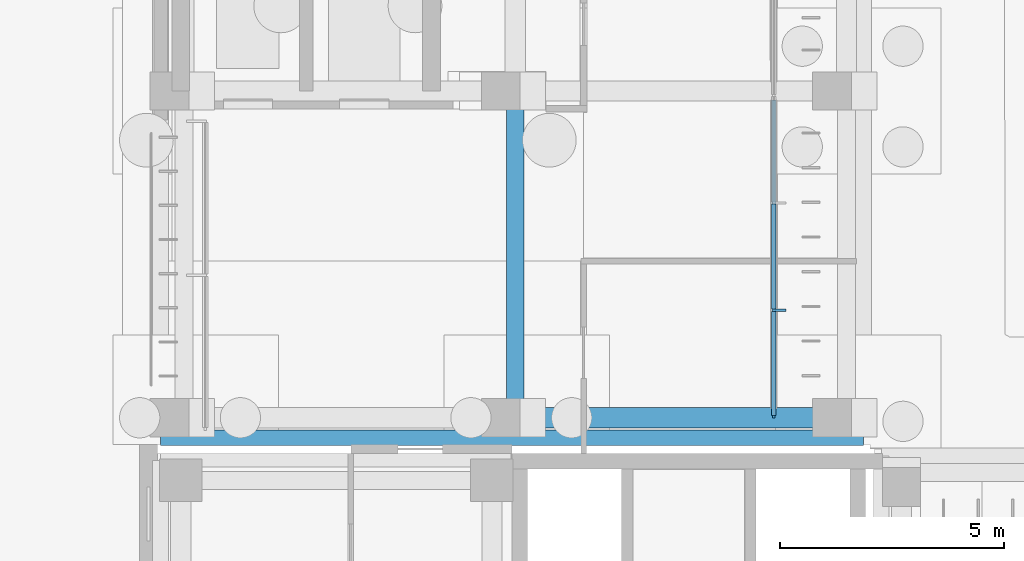
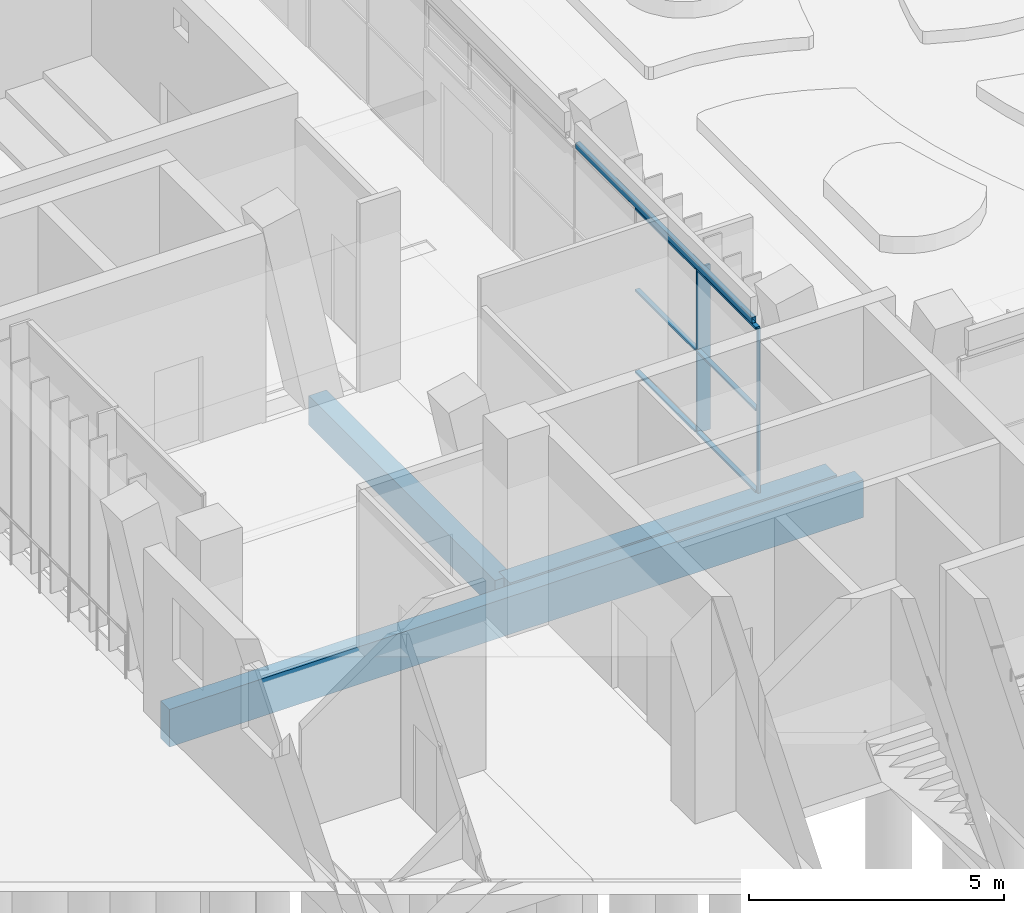
# One storey, part 45 of 144: 8 members, 4 beams, 1 element without a shape of its own.
"""IFC4 building model written with IfcOpenShell, lengths in metres."""

from ifc_helpers import new_model, si_unit, direction, frame, origin, origin_2d, place, context, subcontext, project, spatial, rectangle, hollow_rectangle, extrude, material, material_profile, profile_set, type_object, element, aggregate, save


model = new_model("IFC4")

# Units and contexts
model_context = context("Model", 3, precision=1e-05, world=origin(), true_north=direction((0.0, 1.0)))
body_context = subcontext(model_context, "Body", "Model", "MODEL_VIEW")
ifc_project = project(units=[si_unit("LENGTHUNIT", "METRE"), si_unit("AREAUNIT", "SQUARE_METRE"), si_unit("VOLUMEUNIT", "CUBIC_METRE"), si_unit("PLANEANGLEUNIT", "RADIAN"), si_unit("MASSUNIT", "GRAM", prefix="KILO")], contexts=[model_context])

# Site, building, storey
site_placement = place(None, origin())
site = spatial("IfcSite", under=ifc_project, at=site_placement, CompositionType="ELEMENT")
building_placement = place(site_placement, origin())
building = spatial("IfcBuilding", under=site, at=building_placement, Name="Lantern Court Media Centre", CompositionType="ELEMENT")
storey_placement = place(building_placement, origin())
storey = spatial("IfcBuildingStorey", under=building, at=storey_placement, Name="L00", CompositionType="ELEMENT", Elevation=0.0)

# Curtain wall, members
ifc_material_1 = material(Name="Curtain wall bay 2400")
curtain_wall_type = type_object("IfcCurtainWallType", Name="Curtain wall bay 2400", PredefinedType="NOTDEFINED", material=ifc_material_1)
curtain_wall_placement = place(storey_placement, origin())
curtain_wall = element("IfcCurtainWall", 1, at=curtain_wall_placement, inside=storey, type_object=curtain_wall_type, Name="Curtain wall W inner L00", PredefinedType="NOTDEFINED")
ifc_material_2 = material(Name="Anodised aluminium", Category="aluminium")
ifc_material_profile_1 = material_profile(ifc_material_2, rectangle(XDim=0.300048828125, YDim=0.050048828125, at=origin_2d()), Name="AL 50x300")
ifc_profile_set_1 = profile_set([ifc_material_profile_1], Name="Anodised aluminium")
member_type_1 = type_object("IfcMemberType", Name="Curtain wall mullion 50x300", PredefinedType="MULLION", material=ifc_profile_set_1)
member_1_placement = place(storey_placement, frame((21.969970703125, 67.10009765625, 0.0), z_axis=(0.0, 0.0, 1.0), x_axis=(-1.0, 0.0, 0.0)))
member_1 = element("IfcMember", 2, at=member_1_placement, type_object=member_type_1, Name="CW2 mullion 2", PredefinedType="MULLION", context=body_context, shape_type="SweptSolid", body=[
    extrude(rectangle(XDim=0.300048828125, YDim=0.050048828125, at=origin_2d()), origin(), (0.0, 0.0, 1.0), 3.949951171875),
])
ifc_material_profile_2 = material_profile(ifc_material_2, rectangle(XDim=0.06005859375, YDim=0.050048828125, at=origin_2d()), Name="AL 50x60")
ifc_profile_set_2 = profile_set([ifc_material_profile_2], Name="Anodised aluminium")
member_type_2 = type_object("IfcMemberType", Name="Curtain wall mullion 50x60", PredefinedType="MULLION", material=ifc_profile_set_2)
member_2_placement = place(storey_placement, frame((21.85009765625, 64.72509765625, 0.0), z_axis=(0.0, 0.0, 1.0), x_axis=(-1.0, 0.0, 0.0)))
member_2 = element("IfcMember", 3, at=member_2_placement, type_object=member_type_2, Name="CW2 mullion 1", PredefinedType="MULLION", context=body_context, shape_type="SweptSolid", body=[
    extrude(rectangle(XDim=0.06005859375, YDim=0.050048828125, at=origin_2d()), origin(), (0.0, 0.0, 1.0), 3.949951171875),
])
ifc_material_profile_3 = material_profile(ifc_material_2, rectangle(XDim=0.10009765625, YDim=0.050048828125, at=origin_2d()), Name="AL 50x100")
ifc_profile_set_3 = profile_set([ifc_material_profile_3], Name="Anodised aluminium")
member_type_3 = type_object("IfcMemberType", Name="Curtain wall transom 100x50", PredefinedType="USERDEFINED", material=ifc_profile_set_3)
member_3_placement = place(storey_placement, frame((21.85009765625, 64.75, 0.02490234375), z_axis=(0.0, 1.0, 0.0), x_axis=(-1.0, 0.0, 0.0)))
member_3 = element("IfcMember", 4, at=member_3_placement, type_object=member_type_3, Name="CW2 transom 1.1", ObjectType="TRANSOM", PredefinedType="USERDEFINED", context=body_context, shape_type="SweptSolid", body=[
    extrude(rectangle(XDim=0.10009765625, YDim=0.050048828125, at=origin_2d()), origin(), (0.0, 0.0, 1.0), 2.324951171875),
])
member_4_placement = place(storey_placement, frame((21.85009765625, 64.75, 1.97509765625), z_axis=(0.0, 1.0, 0.0), x_axis=(-1.0, 0.0, 0.0)))
member_4 = element("IfcMember", 5, at=member_4_placement, type_object=member_type_3, Name="CW2 transom 1.2", ObjectType="TRANSOM", PredefinedType="USERDEFINED", context=body_context, shape_type="SweptSolid", body=[
    extrude(rectangle(XDim=0.10009765625, YDim=0.050048828125, at=origin_2d()), origin(), (0.0, 0.0, 1.0), 2.324951171875),
])
member_5_placement = place(storey_placement, frame((21.85009765625, 64.75, 3.925048828125), z_axis=(0.0, 1.0, 0.0), x_axis=(-1.0, 0.0, 0.0)))
member_5 = element("IfcMember", 6, at=member_5_placement, type_object=member_type_3, Name="CW2 transom 1.3", ObjectType="TRANSOM", PredefinedType="USERDEFINED", context=body_context, shape_type="SweptSolid", body=[
    extrude(rectangle(XDim=0.10009765625, YDim=0.050048828125, at=origin_2d()), origin(), (0.0, 0.0, 1.0), 2.324951171875),
])
member_6_placement = place(storey_placement, frame((21.85009765625, 67.125, 0.02490234375), z_axis=(0.0, 1.0, 0.0), x_axis=(-1.0, 0.0, 0.0)))
member_6 = element("IfcMember", 7, at=member_6_placement, type_object=member_type_3, Name="CW2 transom 2.1", ObjectType="TRANSOM", PredefinedType="USERDEFINED", context=body_context, shape_type="SweptSolid", body=[
    extrude(rectangle(XDim=0.10009765625, YDim=0.050048828125, at=origin_2d()), origin(), (0.0, 0.0, 1.0), 2.35009765625),
])
member_7_placement = place(storey_placement, frame((21.85009765625, 67.125, 1.97509765625), z_axis=(0.0, 1.0, 0.0), x_axis=(-1.0, 0.0, 0.0)))
member_7 = element("IfcMember", 8, at=member_7_placement, type_object=member_type_3, Name="CW2 transom 2.2", ObjectType="TRANSOM", PredefinedType="USERDEFINED", context=body_context, shape_type="SweptSolid", body=[
    extrude(rectangle(XDim=0.10009765625, YDim=0.050048828125, at=origin_2d()), origin(), (0.0, 0.0, 1.0), 2.35009765625),
])
member_8_placement = place(storey_placement, frame((21.85009765625, 67.125, 3.925048828125), z_axis=(0.0, 1.0, 0.0), x_axis=(-1.0, 0.0, 0.0)))
member_8 = element("IfcMember", 9, at=member_8_placement, type_object=member_type_3, Name="CW2 transom 2.3", ObjectType="TRANSOM", PredefinedType="USERDEFINED", context=body_context, shape_type="SweptSolid", body=[
    extrude(rectangle(XDim=0.10009765625, YDim=0.050048828125, at=origin_2d()), origin(), (0.0, 0.0, 1.0), 2.35009765625),
])
aggregate(curtain_wall, [member_2, member_1, member_3, member_4, member_5, member_6, member_7, member_8])

# Beams
ifc_material_3 = material(Name="Steel S355J2 (EN 10025-2)", Category="steel")
ifc_material_profile_4 = material_profile(ifc_material_3, hollow_rectangle(XDim=0.10009765625, YDim=0.14990234375, WallThickness=0.00634765625, InnerFilletRadius=0.00634765625, OuterFilletRadius=0.009521484375, at=origin_2d()), Name="Facade head lintel RHS 150x100x6.3")
ifc_profile_set_4 = profile_set([ifc_material_profile_4], Name="Steel S355J2 (EN 10025-2)")
beam_type_1 = type_object("IfcBeamType", Name="Facade head lintel RHS 150x100x6.3", PredefinedType="BEAM", material=ifc_profile_set_4)
beam_1_placement = place(storey_placement, frame((21.85009765625, 64.89990234375, 4.02490234375), z_axis=(0.0, 1.0, 0.0), x_axis=(-1.0, 0.0, 0.0)))
element("IfcBeam", 10, at=beam_1_placement, inside=storey, type_object=beam_type_1, Name="Facade head lintel W L00", PredefinedType="BEAM", context=body_context, shape_type="SweptSolid", body=[
    extrude(hollow_rectangle(XDim=0.10009765625, YDim=0.14990234375, WallThickness=0.00634765625, InnerFilletRadius=0.00634765625, OuterFilletRadius=0.009521484375, at=origin_2d()), origin(), (0.0, 0.0, 1.0), 6.900146484375),
])
ifc_material_4 = material(Name="Concrete C35", Category="concrete")
ifc_material_profile_5 = material_profile(ifc_material_4, rectangle(XDim=0.35009765625, YDim=0.89990234375, at=origin_2d()), Name="RC 350x900")
ifc_profile_set_5 = profile_set([ifc_material_profile_5], Name="Concrete C35")
beam_type_2 = type_object("IfcBeamType", Name="RC BEAM 350x900", PredefinedType="BEAM", material=ifc_profile_set_5)
beam_2_placement = place(storey_placement, frame((8.14990234375, 64.25, -0.449951171875), z_axis=(1.0, 0.0, 0.0), x_axis=(0.0, 1.0, 0.0)))
element("IfcBeam", 11, at=beam_2_placement, inside=storey, type_object=beam_type_2, Name="EB-W-L00-C", PredefinedType="BEAM", context=body_context, shape_type="SweptSolid", body=[
    extrude(rectangle(XDim=0.35009765625, YDim=0.89990234375, at=origin_2d()), origin(), (0.0, 0.0, 1.0), 15.7001953125),
])
ifc_material_profile_6 = material_profile(ifc_material_4, rectangle(XDim=0.39990234375, YDim=0.699951171875, at=origin_2d()), Name="RC 400x700")
ifc_profile_set_6 = profile_set([ifc_material_profile_6], Name="Concrete C35")
beam_type_3 = type_object("IfcBeamType", Name="RC BEAM 400x700", PredefinedType="BEAM", material=ifc_profile_set_6)
beam_3_placement = place(storey_placement, frame((16.072998046875, 64.699951171875, -0.35009765625), z_axis=(0.0, 1.0, 0.0), x_axis=(-1.0, 0.0, 0.0)))
element("IfcBeam", 12, at=beam_3_placement, inside=storey, type_object=beam_type_3, Name="LB-W-L00-1-0", PredefinedType="BEAM", context=body_context, shape_type="SweptSolid", body=[
    extrude(rectangle(XDim=0.39990234375, YDim=0.699951171875, at=origin_2d()), origin(), (0.0, 0.0, 1.0), 7.300048828125),
])
ifc_material_profile_7 = material_profile(ifc_material_4, rectangle(XDim=0.449951171875, YDim=0.800048828125, at=origin_2d()), Name="RC 450x800")
ifc_profile_set_7 = profile_set([ifc_material_profile_7], Name="Concrete C35")
beam_type_4 = type_object("IfcBeamType", Name="RC BEAM 450x800", PredefinedType="BEAM", material=ifc_profile_set_7)
beam_4_placement = place(storey_placement, frame((16.083251953125, 64.699951171875, -0.39990234375), z_axis=(1.0, 0.0, 0.0), x_axis=(0.0, 1.0, 0.0)))
element("IfcBeam", 13, at=beam_4_placement, inside=storey, type_object=beam_type_4, Name="TB-W-L00-0-2", PredefinedType="BEAM", context=body_context, shape_type="SweptSolid", body=[
    extrude(rectangle(XDim=0.449951171875, YDim=0.800048828125, at=origin_2d()), origin(), (0.0, 0.0, 1.0), 7.400146484375),
])

save(model, "model.ifc")
